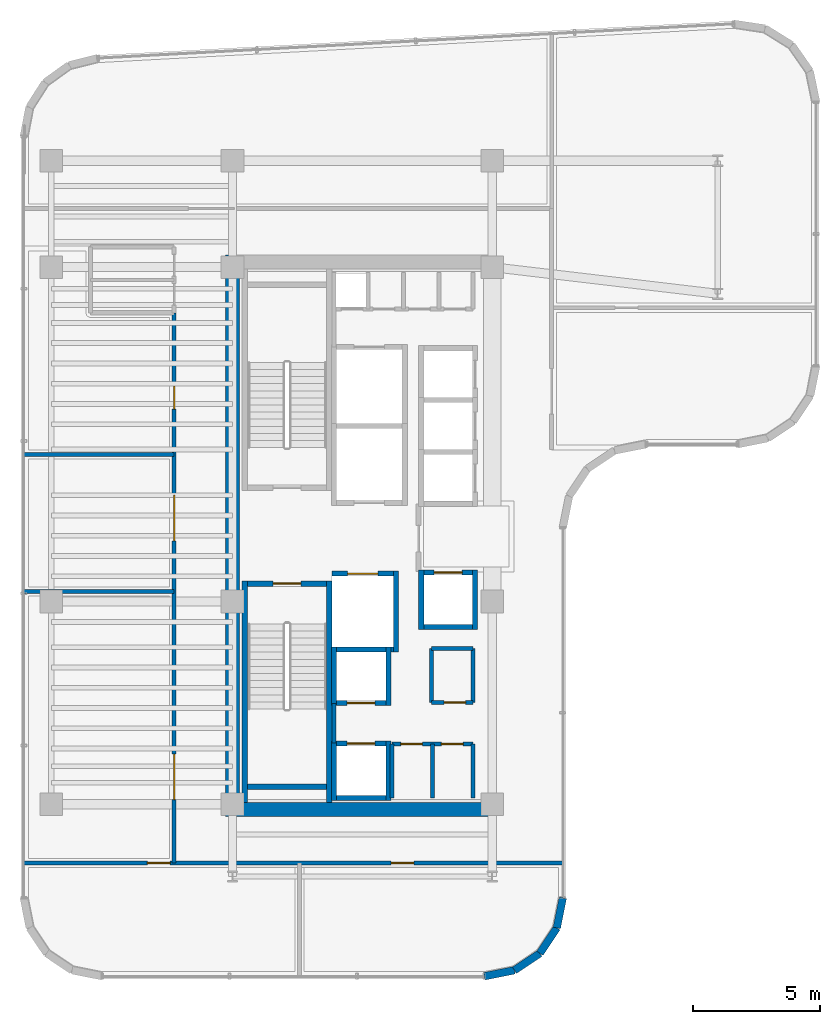
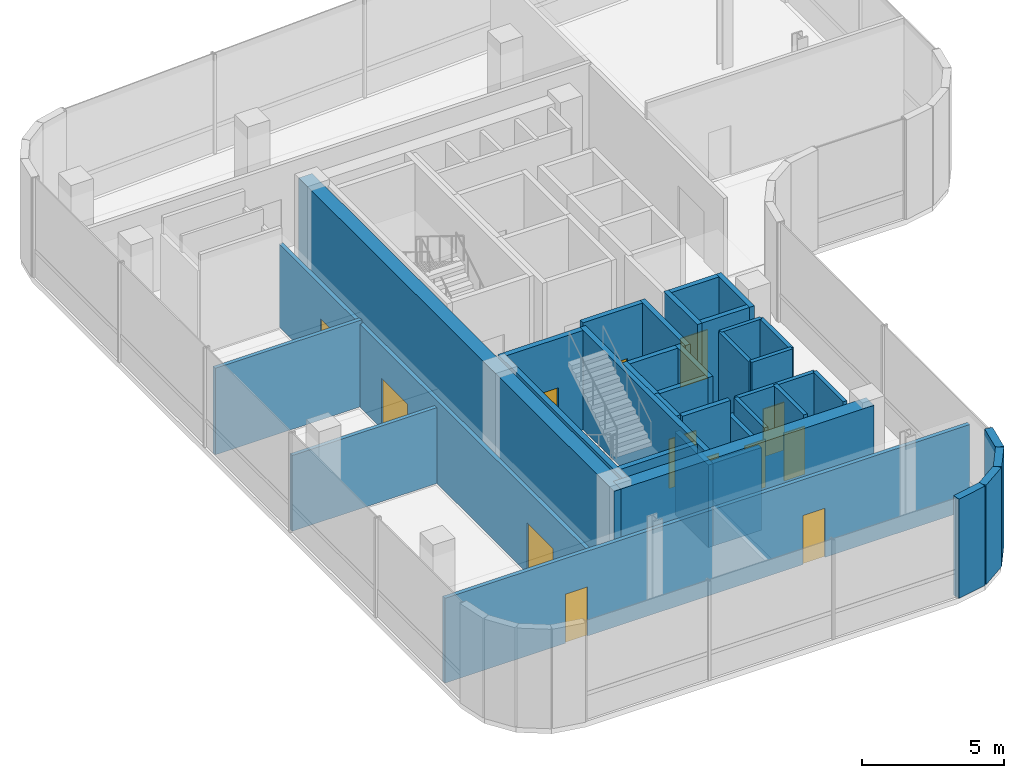
# One storey, part 13 of 17: 37 walls, 13 doors, 13 openings.
"""IFC4 building model written with IfcOpenShell, lengths in metres."""

from ifc_helpers import new_model, si_unit, direction, frame, frame_2d, origin, place, context, subcontext, project, spatial, rectangle, extrude, material, layer, layer_set, type_object, element, fill, save


model = new_model("IFC4")

# Units and contexts
model_context = context("Model", 3, precision=1e-05, world=origin(), true_north=direction((0.0, 1.0)))
body_context = subcontext(model_context, "Body", "Model", "MODEL_VIEW")
ifc_project = project(units=[si_unit("LENGTHUNIT", "METRE"), si_unit("AREAUNIT", "SQUARE_METRE"), si_unit("VOLUMEUNIT", "CUBIC_METRE"), si_unit("PLANEANGLEUNIT", "RADIAN"), si_unit("MASSUNIT", "GRAM", prefix="KILO")], contexts=[model_context])

# Site, building, storey
site_placement = place(None, origin())
site = spatial("IfcSite", under=ifc_project, at=site_placement, CompositionType="ELEMENT")
building_placement = place(site_placement, origin())
building = spatial("IfcBuilding", under=site, at=building_placement, Name="Valdorenza Pilgrim Sanctuary Tower", CompositionType="ELEMENT")
storey_placement = place(building_placement, frame((0.0, 0.0, 201.0)))
storey = spatial("IfcBuildingStorey", under=building, at=storey_placement, Name="L51", CompositionType="ELEMENT", Elevation=201.0)

# Wall
ifc_material_1 = material(Name="Acoustic twin-stud gypsum partition", Category="gypsum")
ifc_layer_1 = layer(ifc_material_1, 0.159912109375, Name="Acoustic twin-stud gypsum partition")
ifc_layer_set_1 = layer_set([ifc_layer_1], Name="Acoustic twin-stud gypsum partition")
wall_type_1 = type_object("IfcWallType", Name="WAL-COR-160", PredefinedType="PARTITIONING", material=ifc_layer_set_1)
wall_1_placement = place(storey_placement, frame((-18.64990234375, -8.179931640625, 0.0), z_axis=(0.0, 0.0, 1.0), x_axis=(0.0, 1.0, 0.0)))
element("IfcWall", 1, at=wall_1_placement, inside=storey, type_object=wall_type_1, Name="L51 Core A South Lift Hall West Wall", PredefinedType="PARTITIONING", context=body_context, shape_type="SweptSolid", body=[
    extrude(rectangle(XDim=1.559814453125, YDim=0.159912109375, at=frame_2d((0.77978515625, 0.0))), origin(), (0.0, 0.0, 1.0), 4.260009765625),
])

# Wall, openings, doors
wall_2_placement = place(storey_placement, frame((-16.35009765625, -8.219970703125, 0.0), z_axis=(0.0, 0.0, 1.0), x_axis=(1.0, 0.0, 0.0)))
wall_2 = element("IfcWall", 2, at=wall_2_placement, inside=storey, type_object=wall_type_1, Name="L51 Freed Shaft 1 North Wall", PredefinedType="PARTITIONING", context=body_context, shape_type="SweptSolid", body=[
    extrude(rectangle(XDim=3.2001953125, YDim=0.159912109375, at=frame_2d((1.60009765625, 0.0))), origin(), (0.0, 0.0, 1.0), 4.260009765625),
])
opening_1_placement = place(wall_2_placement, frame((0.35009765625, 0.0, 0.0)))
opening_1 = element("IfcOpeningElement", 3, at=opening_1_placement, cuts=wall_2, Name="Opening DR-RS1", PredefinedType="OPENING", context=body_context, shape_type="SweptSolid", body=[
    extrude(rectangle(XDim=0.85009765625, YDim=2.050048828125, at=frame_2d((0.425048828125, 1.02490234375))), frame((0.0, 0.0947265625, 0.0), z_axis=(0.0, -1.0, 0.0), x_axis=(1.0, 0.0, 0.0)), (0.0, 0.0, 1.0), 0.189697265625),
])
opening_2_placement = place(wall_2_placement, frame((1.949951171875, 0.0, 0.0)))
opening_2 = element("IfcOpeningElement", 4, at=opening_2_placement, cuts=wall_2, Name="Opening DR-RS1", PredefinedType="OPENING", context=body_context, shape_type="SweptSolid", body=[
    extrude(rectangle(XDim=0.85009765625, YDim=2.050048828125, at=frame_2d((0.425048828125, 1.02490234375))), frame((0.0, 0.0947265625, 0.0), z_axis=(0.0, -1.0, 0.0), x_axis=(1.0, 0.0, 0.0)), (0.0, 0.0, 1.0), 0.189697265625),
])
ifc_material_2 = material(Name="Painted galvanized steel", Category="steel")
door_type_1 = type_object("IfcDoorType", Name="DR-RSR-850", OperationType="NOTDEFINED", PredefinedType="DOOR", material=ifc_material_2)
door_1_placement = place(opening_1_placement, origin())
door_1 = element("IfcDoor", 5, at=door_1_placement, inside=storey, type_object=door_type_1, Name="L51 Linen Store Door", OperationType="SINGLE_SWING_LEFT", OverallHeight=2.050048828125, OverallWidth=0.85009765625, PredefinedType="DOOR", context=body_context, shape_type="SweptSolid", body=[
    extrude(rectangle(XDim=0.85009765625, YDim=2.050048828125, at=frame_2d((0.425048828125, 1.02490234375))), frame((0.0, 0.02490234375, 0.0), z_axis=(0.0, -1.0, 0.0), x_axis=(1.0, 0.0, 0.0)), (0.0, 0.0, 1.0), 0.050048828125),
])
fill(opening_1, door_1)
door_2_placement = place(opening_2_placement, origin())
door_2 = element("IfcDoor", 6, at=door_2_placement, inside=storey, type_object=door_type_1, Name="L51 Cot Store Door", OperationType="SINGLE_SWING_RIGHT", OverallHeight=2.050048828125, OverallWidth=0.85009765625, PredefinedType="DOOR", context=body_context, shape_type="SweptSolid", body=[
    extrude(rectangle(XDim=0.85009765625, YDim=2.050048828125, at=frame_2d((0.425048828125, 1.02490234375))), frame((0.0, 0.02490234375, 0.0), z_axis=(0.0, -1.0, 0.0), x_axis=(1.0, 0.0, 0.0)), (0.0, 0.0, 1.0), 0.050048828125),
])
fill(opening_2, door_2)

# Walls
for number, where, z_axis, x_axis, name in (
    (7, (-13.14990234375, -10.35009765625, 0.0), (0.0, 0.0, 1.0), (0.0, 1.0, 0.0), "L51 Freed Shaft 1 East Wall"),
    (8, (-14.75, -10.35009765625, 0.0), (0.0, 0.0, 1.0), (0.0, 1.0, 0.0), "L51 Freed Shaft 1 Split Wall"),
):
    element("IfcWall", number, at=place(storey_placement, frame(where, z_axis=z_axis, x_axis=x_axis)), inside=storey, type_object=wall_type_1, Name=name, PredefinedType="PARTITIONING", context=body_context, shape_type="SweptSolid", body=[
        extrude(rectangle(XDim=2.130126953125, YDim=0.159912109375, at=frame_2d((1.06494140625, 0.0))), origin(), (0.0, 0.0, 1.0), 4.260009765625),
    ])

# Wall, opening, door
wall_3_placement = place(storey_placement, frame((-14.800048828125, -6.580078125, 0.0), z_axis=(0.0, 0.0, 1.0), x_axis=(1.0, 0.0, 0.0)))
wall_3 = element("IfcWall", 9, at=wall_3_placement, inside=storey, type_object=wall_type_1, Name="L51 Freed Shaft 2 South Wall", PredefinedType="PARTITIONING", context=body_context, shape_type="SweptSolid", body=[
    extrude(rectangle(XDim=1.650146484375, YDim=0.159912109375, at=frame_2d((0.8251953125, 0.0))), origin(), (0.0, 0.0, 1.0), 4.260009765625),
])
opening_3_placement = place(wall_3_placement, frame((0.5, 0.0, 0.0)))
opening_3 = element("IfcOpeningElement", 10, at=opening_3_placement, cuts=wall_3, Name="Opening DR-RS1", PredefinedType="OPENING", context=body_context, shape_type="SweptSolid", body=[
    extrude(rectangle(XDim=0.85009765625, YDim=2.050048828125, at=frame_2d((0.425048828125, 1.02490234375))), frame((0.0, 0.0947265625, 0.0), z_axis=(0.0, -1.0, 0.0), x_axis=(1.0, 0.0, 0.0)), (0.0, 0.0, 1.0), 0.189697265625),
])
door_3_placement = place(opening_3_placement, origin())
door_3 = element("IfcDoor", 11, at=door_3_placement, inside=storey, type_object=door_type_1, Name="L51 Guest Tea Pantry Door", OperationType="SINGLE_SWING_LEFT", OverallHeight=2.050048828125, OverallWidth=0.85009765625, PredefinedType="DOOR", context=body_context, shape_type="SweptSolid", body=[
    extrude(rectangle(XDim=0.85009765625, YDim=2.050048828125, at=frame_2d((0.425048828125, 1.02490234375))), frame((0.0, 0.02490234375, 0.0), z_axis=(0.0, -1.0, 0.0), x_axis=(1.0, 0.0, 0.0)), (0.0, 0.0, 1.0), 0.050048828125),
])
fill(opening_3, door_3)

# Wall
wall_4_placement = place(storey_placement, frame((-13.14990234375, -6.580078125, 0.0), z_axis=(0.0, 0.0, 1.0), x_axis=(0.0, 1.0, 0.0)))
element("IfcWall", 12, at=wall_4_placement, inside=storey, type_object=wall_type_1, Name="L51 Freed Shaft 2 East Wall", PredefinedType="PARTITIONING", context=body_context, shape_type="SweptSolid", body=[
    extrude(rectangle(XDim=2.130126953125, YDim=0.159912109375, at=frame_2d((1.06494140625, 0.0))), origin(), (0.0, 0.0, 1.0), 4.260009765625),
])

# Wall, openings, doors
wall_5_placement = place(storey_placement, frame((-24.949951171875, -12.919921875, 0.0), z_axis=(0.0, 0.0, 1.0), x_axis=(0.0, 1.0, 0.0)))
wall_5 = element("IfcWall", 13, at=wall_5_placement, inside=storey, type_object=wall_type_1, Name="L51 Sky West Concourse Wall", PredefinedType="PARTITIONING", context=body_context, shape_type="SweptSolid", body=[
    extrude(rectangle(XDim=21.719970703125, YDim=0.159912109375, at=frame_2d((10.85986328125, 0.0))), origin(), (0.0, 0.0, 1.0), 3.5439453125),
])
opening_4_placement = place(wall_5_placement, frame((2.5, 0.0, 0.0)))
opening_4 = element("IfcOpeningElement", 14, at=opening_4_placement, cuts=wall_5, Name="Opening DR-HL1", PredefinedType="OPENING", context=body_context, shape_type="SweptSolid", body=[
    extrude(rectangle(XDim=1.800048828125, YDim=2.14990234375, at=frame_2d((0.89990234375, 1.074951171875))), frame((0.0, 0.0947265625, 0.0), z_axis=(0.0, -1.0, 0.0), x_axis=(1.0, 0.0, 0.0)), (0.0, 0.0, 1.0), 0.189697265625),
])
opening_5_placement = place(wall_5_placement, frame((12.719970703125, 0.0, 0.0)))
opening_5 = element("IfcOpeningElement", 15, at=opening_5_placement, cuts=wall_5, Name="Opening DR-HL1", PredefinedType="OPENING", context=body_context, shape_type="SweptSolid", body=[
    extrude(rectangle(XDim=1.800048828125, YDim=2.14990234375, at=frame_2d((0.89990234375, 1.074951171875))), frame((0.0, 0.0947265625, 0.0), z_axis=(0.0, -1.0, 0.0), x_axis=(1.0, 0.0, 0.0)), (0.0, 0.0, 1.0), 0.189697265625),
])
opening_6_placement = place(wall_5_placement, frame((17.919921875, 0.0, 0.0)))
opening_6 = element("IfcOpeningElement", 16, at=opening_6_placement, cuts=wall_5, Name="Opening DR-RM1", PredefinedType="OPENING", context=body_context, shape_type="SweptSolid", body=[
    extrude(rectangle(XDim=0.89990234375, YDim=2.10009765625, at=frame_2d((0.449951171875, 1.050048828125))), frame((0.0, 0.0947265625, 0.0), z_axis=(0.0, -1.0, 0.0), x_axis=(1.0, 0.0, 0.0)), (0.0, 0.0, 1.0), 0.189697265625),
])
ifc_material_3 = material(Name="Acoustic oak and vision-glass double door", Category="glass")
door_type_2 = type_object("IfcDoorType", Name="DR-HALL-1800", OperationType="NOTDEFINED", PredefinedType="DOOR", material=ifc_material_3)
door_4_placement = place(opening_4_placement, origin())
door_4 = element("IfcDoor", 17, at=door_4_placement, inside=storey, type_object=door_type_2, Name="L51 Sky Lounge South Door", OperationType="DOUBLE_DOOR_SINGLE_SWING", OverallHeight=2.14990234375, OverallWidth=1.800048828125, PredefinedType="DOOR", context=body_context, shape_type="SweptSolid", body=[
    extrude(rectangle(XDim=1.800048828125, YDim=2.14990234375, at=frame_2d((0.89990234375, 1.074951171875))), frame((0.0, 0.02490234375, 0.0), z_axis=(0.0, -1.0, 0.0), x_axis=(1.0, 0.0, 0.0)), (0.0, 0.0, 1.0), 0.050048828125),
])
fill(opening_4, door_4)
door_5_placement = place(opening_5_placement, frame((1.800048828125, 0.0, 0.0), z_axis=(0.0, 0.0, 1.0), x_axis=(-1.0, 0.0, 0.0)))
door_5 = element("IfcDoor", 18, at=door_5_placement, inside=storey, type_object=door_type_2, Name="L51 Sky Mid Room Door", OperationType="DOUBLE_DOOR_SINGLE_SWING", OverallHeight=2.14990234375, OverallWidth=1.800048828125, PredefinedType="DOOR", context=body_context, shape_type="SweptSolid", body=[
    extrude(rectangle(XDim=1.800048828125, YDim=2.14990234375, at=frame_2d((0.89990234375, 1.074951171875))), frame((0.0, 0.02490234375, 0.0), z_axis=(0.0, -1.0, 0.0), x_axis=(1.0, 0.0, 0.0)), (0.0, 0.0, 1.0), 0.050048828125),
])
fill(opening_5, door_5)
ifc_material_4 = material(Name="Solid-core European oak timber", Category="wood")
door_type_3 = type_object("IfcDoorType", Name="DR-ROOM-900", OperationType="NOTDEFINED", PredefinedType="DOOR", material=ifc_material_4)
door_6_placement = place(opening_6_placement, origin())
door_6 = element("IfcDoor", 19, at=door_6_placement, inside=storey, type_object=door_type_3, Name="L51 Sky Office Door", OperationType="SINGLE_SWING_RIGHT", OverallHeight=2.10009765625, OverallWidth=0.89990234375, PredefinedType="DOOR", context=body_context, shape_type="SweptSolid", body=[
    extrude(rectangle(XDim=0.89990234375, YDim=2.10009765625, at=frame_2d((0.449951171875, 1.050048828125))), frame((0.0, 0.02490234375, 0.0), z_axis=(0.0, -1.0, 0.0), x_axis=(1.0, 0.0, 0.0)), (0.0, 0.0, 1.0), 0.050048828125),
])
fill(opening_6, door_6)

wall_6_placement = place(storey_placement, frame((-30.889892578125, -12.919921875, 0.0), z_axis=(0.0, 0.0, 1.0), x_axis=(1.0, 0.0, 0.0)))
wall_6 = element("IfcWall", 20, at=wall_6_placement, inside=storey, type_object=wall_type_1, Name="L51 Sky South Salon Wall", PredefinedType="PARTITIONING", context=body_context, shape_type="SweptSolid", body=[
    extrude(rectangle(XDim=21.27978515625, YDim=0.159912109375, at=frame_2d((10.639892578125, 0.0))), origin(), (0.0, 0.0, 1.0), 3.634033203125),
])
opening_7_placement = place(wall_6_placement, frame((4.8798828125, 0.0, 0.0)))
opening_7 = element("IfcOpeningElement", 21, at=opening_7_placement, cuts=wall_6, Name="Opening DR-RM1", PredefinedType="OPENING", context=body_context, shape_type="SweptSolid", body=[
    extrude(rectangle(XDim=0.89990234375, YDim=2.10009765625, at=frame_2d((0.449951171875, 1.050048828125))), frame((0.0, 0.0947265625, 0.0), z_axis=(0.0, -1.0, 0.0), x_axis=(1.0, 0.0, 0.0)), (0.0, 0.0, 1.0), 0.189697265625),
])
opening_8_placement = place(wall_6_placement, frame((14.5, 0.0, 0.0)))
opening_8 = element("IfcOpeningElement", 22, at=opening_8_placement, cuts=wall_6, Name="Opening DR-RM1", PredefinedType="OPENING", context=body_context, shape_type="SweptSolid", body=[
    extrude(rectangle(XDim=0.89990234375, YDim=2.10009765625, at=frame_2d((0.449951171875, 1.050048828125))), frame((0.0, 0.0947265625, 0.0), z_axis=(0.0, -1.0, 0.0), x_axis=(1.0, 0.0, 0.0)), (0.0, 0.0, 1.0), 0.189697265625),
])
door_7_placement = place(opening_7_placement, origin())
door_7 = element("IfcDoor", 23, at=door_7_placement, inside=storey, type_object=door_type_3, Name="L51 South West Viewing Salon Door", OperationType="SINGLE_SWING_RIGHT", OverallHeight=2.10009765625, OverallWidth=0.89990234375, PredefinedType="DOOR", context=body_context, shape_type="SweptSolid", body=[
    extrude(rectangle(XDim=0.89990234375, YDim=2.10009765625, at=frame_2d((0.449951171875, 1.050048828125))), frame((0.0, 0.02490234375, 0.0), z_axis=(0.0, -1.0, 0.0), x_axis=(1.0, 0.0, 0.0)), (0.0, 0.0, 1.0), 0.050048828125),
])
fill(opening_7, door_7)
door_8_placement = place(opening_8_placement, frame((0.89990234375, 0.0, 0.0), z_axis=(0.0, 0.0, 1.0), x_axis=(-1.0, 0.0, 0.0)))
door_8 = element("IfcDoor", 24, at=door_8_placement, inside=storey, type_object=door_type_3, Name="L51 South East Reading Lounge Door", OperationType="SINGLE_SWING_LEFT", OverallHeight=2.10009765625, OverallWidth=0.89990234375, PredefinedType="DOOR", context=body_context, shape_type="SweptSolid", body=[
    extrude(rectangle(XDim=0.89990234375, YDim=2.10009765625, at=frame_2d((0.449951171875, 1.050048828125))), frame((0.0, 0.02490234375, 0.0), z_axis=(0.0, -1.0, 0.0), x_axis=(1.0, 0.0, 0.0)), (0.0, 0.0, 1.0), 0.050048828125),
])
fill(opening_8, door_8)

# Walls
ifc_material_5 = material(Name="Concrete C50/60", Category="concrete")
ifc_layer_2 = layer(ifc_material_5, 0.550048828125, Name="Concrete C50/60")
ifc_layer_set_2 = layer_set([ifc_layer_2], Name="Concrete C50/60")
wall_type_2 = type_object("IfcWallType", Name="WAL-COR-550", PredefinedType="SHEAR", material=ifc_layer_set_2)
wall_7_placement = place(storey_placement, frame((-22.64990234375, -11.074951171875, 0.0), z_axis=(0.0, 0.0, 1.0), x_axis=(0.0, 1.0, 0.0)))
element("IfcWall", 25, at=wall_7_placement, inside=storey, type_object=wall_type_2, Name="L51 Split Core A Shear Wall W", PredefinedType="SHEAR", context=body_context, shape_type="SweptSolid", body=[
    extrude(rectangle(XDim=22.14990234375, YDim=0.550048828125, at=frame_2d((11.074951171875, 0.0))), origin(), (0.0, 0.0, 1.0), 4.260009765625),
])
wall_8_placement = place(storey_placement, frame((-22.64990234375, -10.800048828125, 0.0), z_axis=(0.0, 0.0, 1.0), x_axis=(1.0, 0.0, 0.0)))
element("IfcWall", 26, at=wall_8_placement, inside=storey, type_object=wall_type_2, Name="L51 Split Core A Shear Wall S", PredefinedType="SHEAR", context=body_context, shape_type="SweptSolid", body=[
    extrude(rectangle(XDim=10.25, YDim=0.550048828125, at=frame_2d((5.125, 0.0))), origin(), (0.0, 0.0, 1.0), 4.260009765625),
])
ifc_material_6 = material(Name="Honed travertine limestone", Category="masonry")
ifc_layer_3 = layer(ifc_material_6, 0.300048828125, Name="Honed travertine limestone")
ifc_layer_set_3 = layer_set([ifc_layer_3], Name="Honed travertine limestone")
wall_type_3 = type_object("IfcWallType", Name="WAL-EXT-300", PredefinedType="SOLIDWALL", material=ifc_layer_set_3)
wall_9_placement = place(storey_placement, frame((-9.610107421875, -14.289306640625, 0.0), z_axis=(0.0, 0.0, 1.0), x_axis=(-0.194996050505, -0.980804027463, 0.0)))
element("IfcWall", 27, at=wall_9_placement, inside=storey, type_object=wall_type_3, Name="L51 Rounded Wind-Corner Stone Pier 22", PredefinedType="SOLIDWALL", context=body_context, shape_type="SweptSolid", body=[
    extrude(rectangle(XDim=1.2158203125, YDim=0.300048828125, at=frame_2d((0.60791015625, 0.0))), origin(), (0.0, 0.0, 1.0), 4.260009765625),
])
for number, where, z_axis, x_axis, name in (
    (28, (-9.84716796875, -15.481689453125, 0.0), (0.0, 0.0, 1.0), (-0.555635100982, -0.831426265255, 0.0), "L51 Rounded Wind-Corner Stone Pier 23"),
    (29, (-10.5166015625, -16.4833984375, 0.0), (0.0, 0.0, 1.0), (-0.831426265255, -0.555635100982, 0.0), "L51 Rounded Wind-Corner Stone Pier 24"),
):
    element("IfcWall", number, at=place(storey_placement, frame(where, z_axis=z_axis, x_axis=x_axis)), inside=storey, type_object=wall_type_3, Name=name, PredefinedType="SOLIDWALL", context=body_context, shape_type="SweptSolid", body=[
        extrude(rectangle(XDim=1.204833984375, YDim=0.300048828125, at=frame_2d((0.6025390625, 0.0))), origin(), (0.0, 0.0, 1.0), 4.260009765625),
    ])
wall_10_placement = place(storey_placement, frame((-11.518310546875, -17.15283203125, 0.0), z_axis=(0.0, 0.0, 1.0), x_axis=(-0.980804027463, -0.194996050505, 0.0)))
element("IfcWall", 30, at=wall_10_placement, inside=storey, type_object=wall_type_3, Name="L51 Rounded Wind-Corner Stone Pier 25", PredefinedType="SOLIDWALL", context=body_context, shape_type="SweptSolid", body=[
    extrude(rectangle(XDim=1.2158203125, YDim=0.300048828125, at=frame_2d((0.60791015625, 0.0))), origin(), (0.0, 0.0, 1.0), 4.260009765625),
])
ifc_material_7 = material(Name="Autoclaved aerated concrete blockwork", Category="masonry")
ifc_layer_4 = layer(ifc_material_7, 0.199951171875, Name="Autoclaved aerated concrete blockwork")
ifc_layer_set_4 = layer_set([ifc_layer_4], Name="Autoclaved aerated concrete blockwork")
wall_type_4 = type_object("IfcWallType", Name="WAL-SHF-200", PredefinedType="MOVABLE", material=ifc_layer_set_4)
wall_11_placement = place(storey_placement, frame((-16.199951171875, -4.60009765625, 0.0), z_axis=(0.0, 0.0, 1.0), x_axis=(0.0, 1.0, 0.0)))
element("IfcWall", 31, at=wall_11_placement, inside=storey, type_object=wall_type_4, Name="L51 Lift FFL-02 Hoistway Wall East", PredefinedType="MOVABLE", context=body_context, shape_type="SweptSolid", body=[
    extrude(rectangle(XDim=3.2001953125, YDim=0.199951171875, at=frame_2d((1.60009765625, 0.0))), origin(), (0.0, 0.0, 1.0), 4.260009765625),
])
wall_12_placement = place(storey_placement, frame((-18.719970703125, -4.5, 0.0), z_axis=(0.0, 0.0, 1.0), x_axis=(1.0, 0.0, 0.0)))
element("IfcWall", 32, at=wall_12_placement, inside=storey, type_object=wall_type_4, Name="L51 Lift FFL-02 Hoistway Wall South", PredefinedType="MOVABLE", context=body_context, shape_type="SweptSolid", body=[
    extrude(rectangle(XDim=2.419921875, YDim=0.199951171875, at=frame_2d((1.2099609375, 0.0))), origin(), (0.0, 0.0, 1.0), 4.260009765625),
])

# Wall, opening, door
wall_13_placement = place(storey_placement, frame((-18.719970703125, -1.5, 0.0), z_axis=(0.0, 0.0, 1.0), x_axis=(1.0, 0.0, 0.0)))
wall_13 = element("IfcWall", 33, at=wall_13_placement, inside=storey, type_object=wall_type_4, Name="L51 Lift FFL-02 Hoistway Wall North", PredefinedType="MOVABLE", context=body_context, shape_type="SweptSolid", body=[
    extrude(rectangle(XDim=2.419921875, YDim=0.199951171875, at=frame_2d((1.2099609375, 0.0))), origin(), (0.0, 0.0, 1.0), 4.260009765625),
])
opening_9_placement = place(wall_13_placement, frame((0.610107421875, 0.0, 0.0)))
opening_9 = element("IfcOpeningElement", 34, at=opening_9_placement, cuts=wall_13, Name="Opening LD-02", PredefinedType="OPENING", context=body_context, shape_type="SweptSolid", body=[
    extrude(rectangle(XDim=1.199951171875, YDim=2.10009765625, at=frame_2d((0.60009765625, 1.050048828125))), frame((0.0, 0.11474609375, 0.0), z_axis=(0.0, -1.0, 0.0), x_axis=(1.0, 0.0, 0.0)), (0.0, 0.0, 1.0), 0.229736328125),
])
ifc_material_8 = material(Name="Brushed stainless steel Grade 316", Category="steel")
door_type_4 = type_object("IfcDoorType", Name="DR-LFT-1200", OperationType="DOUBLE_DOOR_SLIDING", PredefinedType="DOOR", material=ifc_material_8)
door_9_placement = place(opening_9_placement, origin())
door_9 = element("IfcDoor", 35, at=door_9_placement, inside=storey, type_object=door_type_4, Name="L51 Lift FFL-02 Sliding Landing Door", OperationType="DOUBLE_DOOR_SLIDING", OverallHeight=2.10009765625, OverallWidth=1.199951171875, PredefinedType="DOOR", context=body_context, shape_type="SweptSolid", body=[
    extrude(rectangle(XDim=1.199951171875, YDim=2.10009765625, at=frame_2d((0.60009765625, 1.050048828125))), frame((0.0, 0.02490234375, 0.0), z_axis=(0.0, -1.0, 0.0), x_axis=(1.0, 0.0, 0.0)), (0.0, 0.0, 1.0), 0.050048828125),
])
fill(opening_9, door_9)

# Walls
for number, where, z_axis, x_axis, name in (
    (36, (-18.64990234375, -10.449951171875, 0.0), (0.0, 0.0, 1.0), (0.0, 1.0, 0.0), "L51 Lift PL-05 Hoistway Wall West"),
    (37, (-16.5, -10.449951171875, 0.0), (0.0, 0.0, 1.0), (0.0, 1.0, 0.0), "L51 Lift PL-05 Hoistway Wall East"),
):
    element("IfcWall", number, at=place(storey_placement, frame(where, z_axis=z_axis, x_axis=x_axis)), inside=storey, type_object=wall_type_4, Name=name, PredefinedType="MOVABLE", context=body_context, shape_type="SweptSolid", body=[
        extrude(rectangle(XDim=2.349853515625, YDim=0.199951171875, at=frame_2d((1.1748046875, 0.0))), origin(), (0.0, 0.0, 1.0), 3.5439453125),
    ])
wall_14_placement = place(storey_placement, frame((-18.550048828125, -10.35009765625, 0.0), z_axis=(0.0, 0.0, 1.0), x_axis=(1.0, 0.0, 0.0)))
element("IfcWall", 38, at=wall_14_placement, inside=storey, type_object=wall_type_4, Name="L51 Lift PL-05 Hoistway Wall South", PredefinedType="MOVABLE", context=body_context, shape_type="SweptSolid", body=[
    extrude(rectangle(XDim=1.949951171875, YDim=0.199951171875, at=frame_2d((0.97509765625, 0.0))), origin(), (0.0, 0.0, 1.0), 3.5439453125),
])

# Wall, opening, door
wall_15_placement = place(storey_placement, frame((-18.550048828125, -8.199951171875, 0.0), z_axis=(0.0, 0.0, 1.0), x_axis=(1.0, 0.0, 0.0)))
wall_15 = element("IfcWall", 39, at=wall_15_placement, inside=storey, type_object=wall_type_4, Name="L51 Lift PL-05 Hoistway Wall North", PredefinedType="MOVABLE", context=body_context, shape_type="SweptSolid", body=[
    extrude(rectangle(XDim=1.949951171875, YDim=0.199951171875, at=frame_2d((0.97509765625, 0.0))), origin(), (0.0, 0.0, 1.0), 4.260009765625),
])
opening_10_placement = place(wall_15_placement, frame((0.425048828125, 0.0, 0.0)))
opening_10 = element("IfcOpeningElement", 40, at=opening_10_placement, cuts=wall_15, Name="Opening LD-01", PredefinedType="OPENING", context=body_context, shape_type="SweptSolid", body=[
    extrude(rectangle(XDim=1.10009765625, YDim=2.10009765625, at=frame_2d((0.550048828125, 1.050048828125))), frame((0.0, 0.11474609375, 0.0), z_axis=(0.0, -1.0, 0.0), x_axis=(1.0, 0.0, 0.0)), (0.0, 0.0, 1.0), 0.229736328125),
])
door_type_5 = type_object("IfcDoorType", Name="DR-LFT-1100", OperationType="DOUBLE_DOOR_SLIDING", PredefinedType="DOOR", material=ifc_material_8)
door_10_placement = place(opening_10_placement, origin())
door_10 = element("IfcDoor", 41, at=door_10_placement, inside=storey, type_object=door_type_5, Name="L51 Lift PL-05 Sliding Landing Door", OperationType="DOUBLE_DOOR_SLIDING", OverallHeight=2.10009765625, OverallWidth=1.10009765625, PredefinedType="DOOR", context=body_context, shape_type="SweptSolid", body=[
    extrude(rectangle(XDim=1.10009765625, YDim=2.10009765625, at=frame_2d((0.550048828125, 1.050048828125))), frame((0.0, 0.02490234375, 0.0), z_axis=(0.0, -1.0, 0.0), x_axis=(1.0, 0.0, 0.0)), (0.0, 0.0, 1.0), 0.050048828125),
])
fill(opening_10, door_10)

# Walls
for number, where, z_axis, x_axis, name in (
    (42, (-18.64990234375, -6.699951171875, 0.0), (0.0, 0.0, 1.0), (0.0, 1.0, 0.0), "L51 Lift PL-11 Hoistway Wall West"),
    (43, (-16.5, -6.699951171875, 0.0), (0.0, 0.0, 1.0), (0.0, 1.0, 0.0), "L51 Lift PL-11 Hoistway Wall East"),
):
    element("IfcWall", number, at=place(storey_placement, frame(where, z_axis=z_axis, x_axis=x_axis)), inside=storey, type_object=wall_type_4, Name=name, PredefinedType="MOVABLE", context=body_context, shape_type="SweptSolid", body=[
        extrude(rectangle(XDim=2.300048828125, YDim=0.199951171875, at=frame_2d((1.14990234375, 0.0))), origin(), (0.0, 0.0, 1.0), 4.260009765625),
    ])

# Wall, opening, door
wall_16_placement = place(storey_placement, frame((-18.550048828125, -6.60009765625, 0.0), z_axis=(0.0, 0.0, 1.0), x_axis=(1.0, 0.0, 0.0)))
wall_16 = element("IfcWall", 44, at=wall_16_placement, inside=storey, type_object=wall_type_4, Name="L51 Lift PL-11 Hoistway Wall South", PredefinedType="MOVABLE", context=body_context, shape_type="SweptSolid", body=[
    extrude(rectangle(XDim=1.949951171875, YDim=0.199951171875, at=frame_2d((0.97509765625, 0.0))), origin(), (0.0, 0.0, 1.0), 4.260009765625),
])
opening_11_placement = place(wall_16_placement, frame((0.425048828125, 0.0, 0.0)))
opening_11 = element("IfcOpeningElement", 45, at=opening_11_placement, cuts=wall_16, Name="Opening LD-01", PredefinedType="OPENING", context=body_context, shape_type="SweptSolid", body=[
    extrude(rectangle(XDim=1.10009765625, YDim=2.10009765625, at=frame_2d((0.550048828125, 1.050048828125))), frame((0.0, 0.11474609375, 0.0), z_axis=(0.0, -1.0, 0.0), x_axis=(1.0, 0.0, 0.0)), (0.0, 0.0, 1.0), 0.229736328125),
])
door_11_placement = place(opening_11_placement, origin())
door_11 = element("IfcDoor", 46, at=door_11_placement, inside=storey, type_object=door_type_5, Name="L51 Lift PL-11 Sliding Landing Door", OperationType="DOUBLE_DOOR_SLIDING", OverallHeight=2.10009765625, OverallWidth=1.10009765625, PredefinedType="DOOR", context=body_context, shape_type="SweptSolid", body=[
    extrude(rectangle(XDim=1.10009765625, YDim=2.10009765625, at=frame_2d((0.550048828125, 1.050048828125))), frame((0.0, 0.02490234375, 0.0), z_axis=(0.0, -1.0, 0.0), x_axis=(1.0, 0.0, 0.0)), (0.0, 0.0, 1.0), 0.050048828125),
])
fill(opening_11, door_11)

# Walls
for number, where, z_axis, x_axis, name in (
    (47, (-15.199951171875, -3.699951171875, 0.0), (0.0, 0.0, 1.0), (0.0, 1.0, 0.0), "L51 Lift PL-12 Hoistway Wall West"),
    (48, (-13.080078125, -3.699951171875, 0.0), (0.0, 0.0, 1.0), (0.0, 1.0, 0.0), "L51 Lift PL-12 Hoistway Wall East"),
):
    element("IfcWall", number, at=place(storey_placement, frame(where, z_axis=z_axis, x_axis=x_axis)), inside=storey, type_object=wall_type_4, Name=name, PredefinedType="MOVABLE", context=body_context, shape_type="SweptSolid", body=[
        extrude(rectangle(XDim=2.349853515625, YDim=0.199951171875, at=frame_2d((1.1748046875, 0.0))), origin(), (0.0, 0.0, 1.0), 4.260009765625),
    ])
wall_17_placement = place(storey_placement, frame((-15.10009765625, -3.60009765625, 0.0), z_axis=(0.0, 0.0, 1.0), x_axis=(1.0, 0.0, 0.0)))
element("IfcWall", 49, at=wall_17_placement, inside=storey, type_object=wall_type_4, Name="L51 Lift PL-12 Hoistway Wall South", PredefinedType="MOVABLE", context=body_context, shape_type="SweptSolid", body=[
    extrude(rectangle(XDim=1.920166015625, YDim=0.199951171875, at=frame_2d((0.9599609375, 0.0))), origin(), (0.0, 0.0, 1.0), 4.260009765625),
])

# Wall, opening, door
wall_18_placement = place(storey_placement, frame((-15.10009765625, -1.449951171875, 0.0), z_axis=(0.0, 0.0, 1.0), x_axis=(1.0, 0.0, 0.0)))
wall_18 = element("IfcWall", 50, at=wall_18_placement, inside=storey, type_object=wall_type_4, Name="L51 Lift PL-12 Hoistway Wall North", PredefinedType="MOVABLE", context=body_context, shape_type="SweptSolid", body=[
    extrude(rectangle(XDim=1.920166015625, YDim=0.199951171875, at=frame_2d((0.9599609375, 0.0))), origin(), (0.0, 0.0, 1.0), 4.260009765625),
])
opening_12_placement = place(wall_18_placement, frame((0.409912109375, 0.0, 0.0)))
opening_12 = element("IfcOpeningElement", 51, at=opening_12_placement, cuts=wall_18, Name="Opening LD-01", PredefinedType="OPENING", context=body_context, shape_type="SweptSolid", body=[
    extrude(rectangle(XDim=1.10009765625, YDim=2.10009765625, at=frame_2d((0.550048828125, 1.050048828125))), frame((0.0, 0.11474609375, 0.0), z_axis=(0.0, -1.0, 0.0), x_axis=(1.0, 0.0, 0.0)), (0.0, 0.0, 1.0), 0.229736328125),
])
door_12_placement = place(opening_12_placement, origin())
door_12 = element("IfcDoor", 52, at=door_12_placement, inside=storey, type_object=door_type_5, Name="L51 Lift PL-12 Sliding Landing Door", OperationType="DOUBLE_DOOR_SLIDING", OverallHeight=2.10009765625, OverallWidth=1.10009765625, PredefinedType="DOOR", context=body_context, shape_type="SweptSolid", body=[
    extrude(rectangle(XDim=1.10009765625, YDim=2.10009765625, at=frame_2d((0.550048828125, 1.050048828125))), frame((0.0, 0.02490234375, 0.0), z_axis=(0.0, -1.0, 0.0), x_axis=(1.0, 0.0, 0.0)), (0.0, 0.0, 1.0), 0.050048828125),
])
fill(opening_12, door_12)

# Walls
ifc_material_9 = material(Name="Concrete C40/50", Category="concrete")
ifc_layer_5 = layer(ifc_material_9, 0.219970703125, Name="Concrete C40/50")
ifc_layer_set_5 = layer_set([ifc_layer_5], Name="Concrete C40/50")
wall_type_5 = type_object("IfcWallType", Name="WAL-STR-SHF-220", PredefinedType="SHEAR", material=ifc_layer_set_5)
for number, where, z_axis, x_axis, name in (
    (53, (-22.159912109375, -10.52490234375, 0.0), (0.0, 0.0, 1.0), (0.0, 1.0, 0.0), "L51 ST-A2 Structural Stairwell Wall W"),
    (54, (-18.830078125, -10.52490234375, 0.0), (0.0, 0.0, 1.0), (0.0, 1.0, 0.0), "L51 ST-A2 Structural Stairwell Wall E"),
):
    element("IfcWall", number, at=place(storey_placement, frame(where, z_axis=z_axis, x_axis=x_axis)), inside=storey, type_object=wall_type_5, Name=name, PredefinedType="SHEAR", context=body_context, shape_type="SweptSolid", body=[
        extrude(rectangle(XDim=8.744873046875, YDim=0.219970703125, at=frame_2d((4.37255859375, 0.0))), origin(), (0.0, 0.0, 1.0), 4.260009765625),
    ])
wall_19_placement = place(storey_placement, frame((-22.050048828125, -9.909912109375, 0.0), z_axis=(0.0, 0.0, 1.0), x_axis=(1.0, 0.0, 0.0)))
element("IfcWall", 55, at=wall_19_placement, inside=storey, type_object=wall_type_5, Name="L51 ST-A2 Structural Stairwell Wall S", PredefinedType="SHEAR", context=body_context, shape_type="SweptSolid", body=[
    extrude(rectangle(XDim=3.110107421875, YDim=0.219970703125, at=frame_2d((1.55517578125, 0.0))), origin(), (0.0, 0.0, 1.0), 4.260009765625),
])

# Wall, opening, door
wall_20_placement = place(storey_placement, frame((-22.050048828125, -1.889892578125, 0.0), z_axis=(0.0, 0.0, 1.0), x_axis=(1.0, 0.0, 0.0)))
wall_20 = element("IfcWall", 56, at=wall_20_placement, inside=storey, type_object=wall_type_5, Name="L51 ST-A2 Structural Stairwell Wall N", PredefinedType="SHEAR", context=body_context, shape_type="SweptSolid", body=[
    extrude(rectangle(XDim=3.110107421875, YDim=0.219970703125, at=frame_2d((1.55517578125, 0.0))), origin(), (0.0, 0.0, 1.0), 4.260009765625),
])
opening_13_placement = place(wall_20_placement, frame((1.0, 0.0, 0.0)))
opening_13 = element("IfcOpeningElement", 57, at=opening_13_placement, cuts=wall_20, Name="Opening DR-ST1", PredefinedType="OPENING", context=body_context, shape_type="SweptSolid", body=[
    extrude(rectangle(XDim=1.10009765625, YDim=2.14990234375, at=frame_2d((0.550048828125, 1.074951171875))), frame((0.0, 0.125, 0.0), z_axis=(0.0, -1.0, 0.0), x_axis=(1.0, 0.0, 0.0)), (0.0, 0.0, 1.0), 0.249755859375),
])
door_type_6 = type_object("IfcDoorType", Name="DR-STAIR-1100", OperationType="NOTDEFINED", PredefinedType="DOOR", material=ifc_material_2)
door_13_placement = place(opening_13_placement, origin())
door_13 = element("IfcDoor", 58, at=door_13_placement, inside=storey, type_object=door_type_6, Name="L51 Exit Stair ST-A2 Door", OperationType="SINGLE_SWING_RIGHT", OverallHeight=2.14990234375, OverallWidth=1.10009765625, PredefinedType="DOOR", context=body_context, shape_type="SweptSolid", body=[
    extrude(rectangle(XDim=1.10009765625, YDim=2.14990234375, at=frame_2d((0.550048828125, 1.074951171875))), frame((0.0, 0.02490234375, 0.0), z_axis=(0.0, -1.0, 0.0), x_axis=(1.0, 0.0, 0.0)), (0.0, 0.0, 1.0), 0.050048828125),
])
fill(opening_13, door_13)

# Walls
ifc_layer_6 = layer(ifc_material_1, 0.14990234375, Name="Acoustic twin-stud gypsum partition")
ifc_layer_set_6 = layer_set([ifc_layer_6], Name="Acoustic twin-stud gypsum partition")
wall_type_6 = type_object("IfcWallType", Name="WAL-UNT-150", PredefinedType="PARTITIONING", material=ifc_layer_set_6)
for number, where, z_axis, x_axis, name in (
    (59, (-16.35009765625, -10.35009765625, 0.0), (0.0, 0.0, 1.0), (0.0, 1.0, 0.0), "L51 Freed Shaft 1 West Wall"),
    (60, (-14.800048828125, -6.580078125, 0.0), (0.0, 0.0, 1.0), (0.0, 1.0, 0.0), "L51 Freed Shaft 2 West Wall"),
):
    element("IfcWall", number, at=place(storey_placement, frame(where, z_axis=z_axis, x_axis=x_axis)), inside=storey, type_object=wall_type_6, Name=name, PredefinedType="PARTITIONING", context=body_context, shape_type="SweptSolid", body=[
        extrude(rectangle(XDim=2.130126953125, YDim=0.14990234375, at=frame_2d((1.06494140625, 0.0))), origin(), (0.0, 0.0, 1.0), 4.260009765625),
    ])
wall_21_placement = place(storey_placement, frame((-14.800048828125, -4.449951171875, 0.0), z_axis=(0.0, 0.0, 1.0), x_axis=(1.0, 0.0, 0.0)))
element("IfcWall", 61, at=wall_21_placement, inside=storey, type_object=wall_type_6, Name="L51 Freed Shaft 2 North Wall", PredefinedType="PARTITIONING", context=body_context, shape_type="SweptSolid", body=[
    extrude(rectangle(XDim=1.650146484375, YDim=0.14990234375, at=frame_2d((0.8251953125, 0.0))), origin(), (0.0, 0.0, 1.0), 4.260009765625),
])
wall_22_placement = place(storey_placement, frame((-30.889892578125, -2.199951171875, 0.0), z_axis=(0.0, 0.0, 1.0), x_axis=(1.0, 0.0, 0.0)))
element("IfcWall", 62, at=wall_22_placement, inside=storey, type_object=wall_type_6, Name="L51 Sky West Partition 1", PredefinedType="PARTITIONING", context=body_context, shape_type="SweptSolid", body=[
    extrude(rectangle(XDim=5.93994140625, YDim=0.14990234375, at=frame_2d((2.969970703125, 0.0))), origin(), (0.0, 0.0, 1.0), 3.2451171875),
])
wall_23_placement = place(storey_placement, frame((-30.889892578125, 3.199951171875, 0.0), z_axis=(0.0, 0.0, 1.0), x_axis=(1.0, 0.0, 0.0)))
element("IfcWall", 63, at=wall_23_placement, inside=storey, type_object=wall_type_6, Name="L51 Sky West Partition 2", PredefinedType="PARTITIONING", context=body_context, shape_type="SweptSolid", body=[
    extrude(rectangle(XDim=5.93994140625, YDim=0.14990234375, at=frame_2d((2.969970703125, 0.0))), origin(), (0.0, 0.0, 1.0), 3.7060546875),
])

save(model, "model.ifc")
